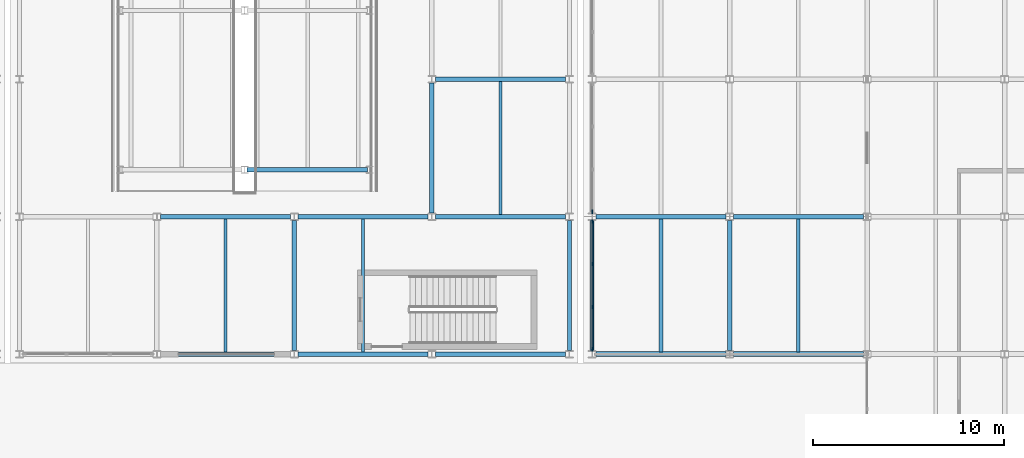
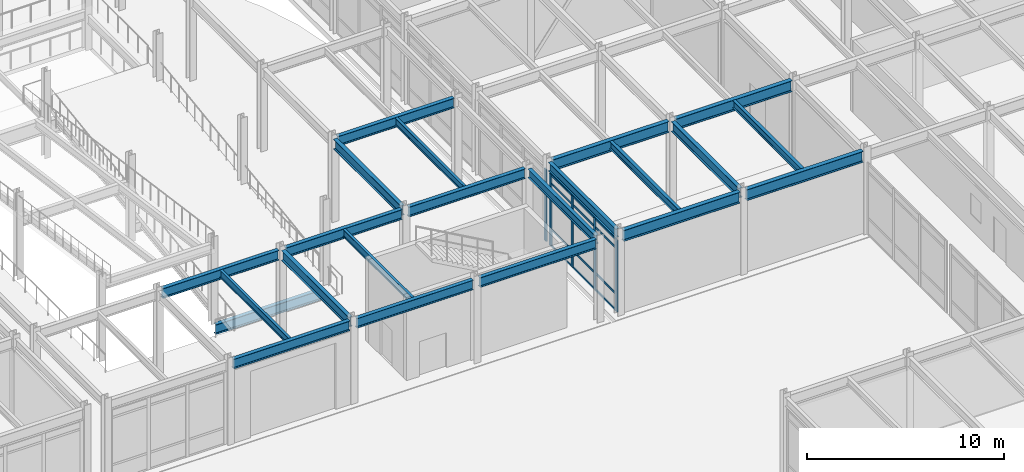
# One storey, part 49 of 104: 22 beams, 17 members, 2 elements without a shape of their own.
"""IFC4 building model written with IfcOpenShell, lengths in metres."""

from ifc_helpers import new_model, si_unit, direction, frame, origin, origin_2d, place, context, subcontext, project, spatial, rectangle, i_section, extrude, material, material_profile, profile_set, type_object, element, aggregate, save


model = new_model("IFC4")

# Units and contexts
model_context = context("Model", 3, precision=1e-05, world=origin(), true_north=direction((0.0, 1.0)))
body_context = subcontext(model_context, "Body", "Model", "MODEL_VIEW")
ifc_project = project(units=[si_unit("LENGTHUNIT", "METRE"), si_unit("AREAUNIT", "SQUARE_METRE"), si_unit("VOLUMEUNIT", "CUBIC_METRE"), si_unit("PLANEANGLEUNIT", "RADIAN"), si_unit("MASSUNIT", "GRAM", prefix="KILO")], contexts=[model_context])

# Site, building, storey
site_placement = place(None, origin())
site = spatial("IfcSite", under=ifc_project, at=site_placement, CompositionType="ELEMENT")
building_placement = place(site_placement, origin())
building = spatial("IfcBuilding", under=site, at=building_placement, Name="Vaelcorin Mobility Hub", CompositionType="ELEMENT")
storey_placement = place(building_placement, origin())
storey = spatial("IfcBuildingStorey", under=building, at=storey_placement, Name="L00", CompositionType="ELEMENT", Elevation=0.0)

# Beams
ifc_material_1 = material(Name="Steel ASTM A992 Grade 50", Category="steel")
ifc_material_profile_1 = material_profile(ifc_material_1, i_section(OverallWidth=0.152099609375, OverallDepth=0.455078125, WebThickness=0.008056640625, FlangeThickness=0.01318359375, FilletRadius=0.012939453125, at=origin_2d()), Name="W18X40")
ifc_profile_set_1 = profile_set([ifc_material_profile_1], Name="Steel ASTM A992 Grade 50")
beam_type_1 = type_object("IfcBeamType", Name="BM-W18X40", PredefinedType="JOIST", material=ifc_profile_set_1)
for number, where, z_axis, x_axis, name in (
    (1, (134.39990234375, 76.912109375, 4.922119140625), (0.0, 1.0, 0.0), (-1.0, 0.0, 0.0), "L00 Beam V2E-L00-J-02-01-1"),
    (2, (141.60009765625, 76.912109375, 4.922119140625), (0.0, 1.0, 0.0), (-1.0, 0.0, 0.0), "L00 Beam V2E-L00-J-03-01-1"),
    (3, (148.800048828125, 84.112060546875, 4.922119140625), (0.0, 1.0, 0.0), (-1.0, 0.0, 0.0), "L00 Beam V2E-L00-J-04-02-1"),
):
    element("IfcBeam", number, at=place(storey_placement, frame(where, z_axis=z_axis, x_axis=x_axis)), inside=storey, type_object=beam_type_1, Name=name, PredefinedType="JOIST", context=body_context, shape_type="SweptSolid", body=[
        extrude(i_section(OverallWidth=0.152099609375, OverallDepth=0.455078125, WebThickness=0.008056640625, FlangeThickness=0.01318359375, FilletRadius=0.012939453125, at=origin_2d()), origin(), (0.0, 0.0, 1.0), 6.975830078125),
    ])
ifc_material_profile_2 = material_profile(ifc_material_1, i_section(OverallWidth=0.19091796875, OverallDepth=0.4599609375, WebThickness=0.010009765625, FlangeThickness=0.01611328125, FilletRadius=0.012939453125, at=origin_2d()), Name="W18X55")
ifc_profile_set_2 = profile_set([ifc_material_profile_2], Name="Steel ASTM A992 Grade 50")
beam_type_2 = type_object("IfcBeamType", Name="BM-W18X55", PredefinedType="JOIST", material=ifc_profile_set_2)
for number, where, z_axis, x_axis, name in (
    (4, (157.199951171875, 76.925048828125, 4.909912109375), (0.0, 1.0, 0.0), (-1.0, 0.0, 0.0), "L00 Beam V5-L00-J-01-09-1"),
    (5, (164.39990234375, 76.925048828125, 4.909912109375), (0.0, 1.0, 0.0), (-1.0, 0.0, 0.0), "L00 Beam V5-L00-J-02-09-1"),
):
    element("IfcBeam", number, at=place(storey_placement, frame(where, z_axis=z_axis, x_axis=x_axis)), inside=storey, type_object=beam_type_2, Name=name, PredefinedType="JOIST", context=body_context, shape_type="SweptSolid", body=[
        extrude(i_section(OverallWidth=0.19091796875, OverallDepth=0.4599609375, WebThickness=0.010009765625, FlangeThickness=0.01611328125, FilletRadius=0.012939453125, at=origin_2d()), origin(), (0.0, 0.0, 1.0), 6.949951171875),
    ])
ifc_material_profile_3 = material_profile(ifc_material_1, i_section(OverallWidth=0.2099609375, OverallDepth=0.535888671875, WebThickness=0.010986328125, FlangeThickness=0.017333984375, FilletRadius=0.013916015625, at=origin_2d()), Name="W21X68")
ifc_profile_set_3 = profile_set([ifc_material_profile_3], Name="Steel ASTM A992 Grade 50")
beam_type_3 = type_object("IfcBeamType", Name="BM-W21X68", PredefinedType="SPANDREL", material=ifc_profile_set_3)
for number, where, z_axis, x_axis, name in (
    (6, (152.39990234375, 76.988037109375, 4.882080078125), (0.0, 1.0, 0.0), (-1.0, 0.0, 0.0), "L00 Beam V2E-L00-GY-05-01"),
    (7, (153.60009765625, 76.988037109375, 4.8720703125), (0.0, 1.0, 0.0), (-1.0, 0.0, 0.0), "L00 Beam V5-L00-GY-01-09"),
):
    element("IfcBeam", number, at=place(storey_placement, frame(where, z_axis=z_axis, x_axis=x_axis)), inside=storey, type_object=beam_type_3, Name=name, PredefinedType="SPANDREL", context=body_context, shape_type="SweptSolid", body=[
        extrude(i_section(OverallWidth=0.2099609375, OverallDepth=0.535888671875, WebThickness=0.010986328125, FlangeThickness=0.017333984375, FilletRadius=0.013916015625, at=origin_2d()), origin(), (0.0, 0.0, 1.0), 6.823974609375),
    ])
ifc_material_profile_4 = material_profile(ifc_material_1, i_section(OverallWidth=0.22802734375, OverallDepth=0.60205078125, WebThickness=0.010498046875, FlangeThickness=0.014892578125, FilletRadius=0.014892578125, at=origin_2d()), Name="W24X68")
ifc_profile_set_4 = profile_set([ifc_material_profile_4], Name="Steel ASTM A992 Grade 50")
beam_type_4 = type_object("IfcBeamType", Name="BM-W24X68", PredefinedType="SPANDREL", material=ifc_profile_set_4)
for number, where, z_axis, x_axis, name in (
    (8, (130.99609375, 76.800048828125, 4.84912109375), (1.0, 0.0, 0.0), (0.0, 1.0, 0.0), "L00 Beam V2E-L00-GX-01-02"),
    (9, (138.196044921875, 76.800048828125, 4.84912109375), (1.0, 0.0, 0.0), (0.0, 1.0, 0.0), "L00 Beam V2E-L00-GX-01-03"),
):
    element("IfcBeam", number, at=place(storey_placement, frame(where, z_axis=z_axis, x_axis=x_axis)), inside=storey, type_object=beam_type_4, Name=name, PredefinedType="SPANDREL", context=body_context, shape_type="SweptSolid", body=[
        extrude(i_section(OverallWidth=0.22802734375, OverallDepth=0.60205078125, WebThickness=0.010498046875, FlangeThickness=0.014892578125, FilletRadius=0.014892578125, at=origin_2d()), origin(), (0.0, 0.0, 1.0), 6.807861328125),
    ])
beam_1_placement = place(storey_placement, frame((145.39599609375, 76.800048828125, 4.84912109375), z_axis=(1.0, 0.0, 0.0), x_axis=(0.0, 1.0, 0.0)))
element("IfcBeam", 10, at=beam_1_placement, inside=storey, type_object=beam_type_4, Name="L00 Beam V2E-L00-GX-01-04", PredefinedType="SPANDREL", context=body_context, shape_type="SweptSolid", body=[
    extrude(i_section(OverallWidth=0.22802734375, OverallDepth=0.60205078125, WebThickness=0.010498046875, FlangeThickness=0.014892578125, FilletRadius=0.014892578125, at=origin_2d()), origin(), (0.0, 0.0, 1.0), 6.80810546875),
])
ifc_material_profile_5 = material_profile(ifc_material_1, i_section(OverallWidth=0.22900390625, OverallDepth=0.612060546875, WebThickness=0.011962890625, FlangeThickness=0.01953125, FilletRadius=0.014892578125, at=origin_2d()), Name="W24X84")
ifc_profile_set_5 = profile_set([ifc_material_profile_5], Name="Steel ASTM A992 Grade 50")
beam_type_5 = type_object("IfcBeamType", Name="BM-W24X84", PredefinedType="BEAM", material=ifc_profile_set_5)
for number, where, z_axis, x_axis, name in (
    (11, (130.99609375, 84.0, 4.843994140625), (1.0, 0.0, 0.0), (0.0, 1.0, 0.0), "L00 Beam V2E-L00-GX-02-02"),
    (12, (138.196044921875, 84.0, 4.843994140625), (1.0, 0.0, 0.0), (0.0, 1.0, 0.0), "L00 Beam V2E-L00-GX-02-03"),
):
    element("IfcBeam", number, at=place(storey_placement, frame(where, z_axis=z_axis, x_axis=x_axis)), inside=storey, type_object=beam_type_5, Name=name, PredefinedType="BEAM", context=body_context, shape_type="SweptSolid", body=[
        extrude(i_section(OverallWidth=0.22900390625, OverallDepth=0.612060546875, WebThickness=0.011962890625, FlangeThickness=0.01953125, FilletRadius=0.014892578125, at=origin_2d()), origin(), (0.0, 0.0, 1.0), 6.807861328125),
    ])
for number, where, z_axis, x_axis, name in (
    (13, (145.39599609375, 84.0, 4.843994140625), (1.0, 0.0, 0.0), (0.0, 1.0, 0.0), "L00 Beam V2E-L00-GX-02-04"),
    (14, (145.39599609375, 91.199951171875, 4.843994140625), (1.0, 0.0, 0.0), (0.0, 1.0, 0.0), "L00 Beam V2E-L00-GX-03-04"),
):
    element("IfcBeam", number, at=place(storey_placement, frame(where, z_axis=z_axis, x_axis=x_axis)), inside=storey, type_object=beam_type_5, Name=name, PredefinedType="BEAM", context=body_context, shape_type="SweptSolid", body=[
        extrude(i_section(OverallWidth=0.22900390625, OverallDepth=0.612060546875, WebThickness=0.011962890625, FlangeThickness=0.01953125, FilletRadius=0.014892578125, at=origin_2d()), origin(), (0.0, 0.0, 1.0), 6.80810546875),
    ])
for number, where, z_axis, x_axis, name in (
    (15, (138.0, 76.988037109375, 4.843994140625), (0.0, 1.0, 0.0), (-1.0, 0.0, 0.0), "L00 Beam V2E-L00-GY-03-01"),
    (16, (145.199951171875, 84.18798828125, 4.843994140625), (0.0, 1.0, 0.0), (-1.0, 0.0, 0.0), "L00 Beam V2E-L00-GY-04-02"),
    (17, (160.800048828125, 76.988037109375, 4.833984375), (0.0, 1.0, 0.0), (-1.0, 0.0, 0.0), "L00 Beam V5-L00-GY-02-09"),
):
    element("IfcBeam", number, at=place(storey_placement, frame(where, z_axis=z_axis, x_axis=x_axis)), inside=storey, type_object=beam_type_5, Name=name, PredefinedType="BEAM", context=body_context, shape_type="SweptSolid", body=[
        extrude(i_section(OverallWidth=0.22900390625, OverallDepth=0.612060546875, WebThickness=0.011962890625, FlangeThickness=0.01953125, FilletRadius=0.014892578125, at=origin_2d()), origin(), (0.0, 0.0, 1.0), 6.823974609375),
    ])
beam_2_placement = place(storey_placement, frame((135.530029296875, 86.449951171875, -0.45703125), z_axis=(1.0, 0.0, 0.0), x_axis=(0.0, 1.0, 0.0)))
element("IfcBeam", 18, at=beam_2_placement, inside=storey, type_object=beam_type_5, Name="Vehicle Ramp VR-2 L00 Bent Girder F1S", PredefinedType="BEAM", context=body_context, shape_type="SweptSolid", body=[
    extrude(i_section(OverallWidth=0.22900390625, OverallDepth=0.612060546875, WebThickness=0.011962890625, FlangeThickness=0.01953125, FilletRadius=0.014892578125, at=origin_2d()), origin(), (0.0, 0.0, 1.0), 6.2900390625),
])
ifc_material_profile_6 = material_profile(ifc_material_1, i_section(OverallWidth=0.25390625, OverallDepth=0.68310546875, WebThickness=0.012451171875, FlangeThickness=0.018798828125, FilletRadius=0.01611328125, at=origin_2d()), Name="W27X94")
ifc_profile_set_6 = profile_set([ifc_material_profile_6], Name="Steel ASTM A992 Grade 50")
beam_type_6 = type_object("IfcBeamType", Name="BM-W27X94", PredefinedType="BEAM", material=ifc_profile_set_6)
beam_3_placement = place(storey_placement, frame((153.7958984375, 76.800048828125, 4.798095703125), z_axis=(1.0, 0.0, 0.0), x_axis=(0.0, 1.0, 0.0)))
element("IfcBeam", 19, at=beam_3_placement, inside=storey, type_object=beam_type_6, Name="L00 Beam V5-L00-GX-09-01", PredefinedType="BEAM", context=body_context, shape_type="SweptSolid", body=[
    extrude(i_section(OverallWidth=0.25390625, OverallDepth=0.68310546875, WebThickness=0.012451171875, FlangeThickness=0.018798828125, FilletRadius=0.01611328125, at=origin_2d()), origin(), (0.0, 0.0, 1.0), 6.80810546875),
])
beam_4_placement = place(storey_placement, frame((160.99609375, 76.800048828125, 4.798095703125), z_axis=(1.0, 0.0, 0.0), x_axis=(0.0, 1.0, 0.0)))
element("IfcBeam", 20, at=beam_4_placement, inside=storey, type_object=beam_type_6, Name="L00 Beam V5-L00-GX-09-02", PredefinedType="BEAM", context=body_context, shape_type="SweptSolid", body=[
    extrude(i_section(OverallWidth=0.25390625, OverallDepth=0.68310546875, WebThickness=0.012451171875, FlangeThickness=0.018798828125, FilletRadius=0.01611328125, at=origin_2d()), origin(), (0.0, 0.0, 1.0), 6.807861328125),
])
beam_5_placement = place(storey_placement, frame((153.7958984375, 84.0, 4.798095703125), z_axis=(1.0, 0.0, 0.0), x_axis=(0.0, 1.0, 0.0)))
element("IfcBeam", 21, at=beam_5_placement, inside=storey, type_object=beam_type_6, Name="L00 Beam V5-L00-GX-10-01", PredefinedType="BEAM", context=body_context, shape_type="SweptSolid", body=[
    extrude(i_section(OverallWidth=0.25390625, OverallDepth=0.68310546875, WebThickness=0.012451171875, FlangeThickness=0.018798828125, FilletRadius=0.01611328125, at=origin_2d()), origin(), (0.0, 0.0, 1.0), 6.80810546875),
])
beam_6_placement = place(storey_placement, frame((160.99609375, 84.0, 4.798095703125), z_axis=(1.0, 0.0, 0.0), x_axis=(0.0, 1.0, 0.0)))
element("IfcBeam", 22, at=beam_6_placement, inside=storey, type_object=beam_type_6, Name="L00 Beam V5-L00-GX-10-02", PredefinedType="BEAM", context=body_context, shape_type="SweptSolid", body=[
    extrude(i_section(OverallWidth=0.25390625, OverallDepth=0.68310546875, WebThickness=0.012451171875, FlangeThickness=0.018798828125, FilletRadius=0.01611328125, at=origin_2d()), origin(), (0.0, 0.0, 1.0), 6.807861328125),
])

# Curtain wall, members
ifc_material_2 = material(Name="Anodised aluminium 6063-T6", Category="aluminium")
curtain_wall_type = type_object("IfcCurtainWallType", Name="CW-MOB-A", PredefinedType="NOTDEFINED", material=ifc_material_2)
curtain_wall_1_placement = place(storey_placement, origin())
curtain_wall_1 = element("IfcCurtainWall", 23, at=curtain_wall_1_placement, inside=storey, type_object=curtain_wall_type, Name="L00 Curtain Wall CW-V5-L00-WN-01", PredefinedType="NOTDEFINED")
ifc_material_profile_7 = material_profile(ifc_material_2, rectangle(XDim=0.070068359375, YDim=0.199951171875, at=origin_2d()), Name="ALU-M70X200")
ifc_profile_set_7 = profile_set([ifc_material_profile_7], Name="Anodised aluminium 6063-T6")
member_type_1 = type_object("IfcMemberType", Name="CW-MULL-200", PredefinedType="MULLION", material=ifc_profile_set_7)
member_1_placement = place(storey_placement, frame((153.60009765625, 77.050048828125, 0.0), z_axis=(0.0, 0.0, 1.0), x_axis=(-1.0, 0.0, 0.0)))
member_1 = element("IfcMember", 24, at=member_1_placement, type_object=member_type_1, Name="CW7 mullion 1", PredefinedType="MULLION", context=body_context, shape_type="SweptSolid", body=[
    extrude(rectangle(XDim=0.070068359375, YDim=0.199951171875, at=origin_2d()), origin(), (0.0, 0.0, 1.0), 4.44189453125),
])
member_2_placement = place(storey_placement, frame((153.60009765625, 79.2734375, 0.0), z_axis=(0.0, 0.0, 1.0), x_axis=(-1.0, 0.0, 0.0)))
member_2 = element("IfcMember", 25, at=member_2_placement, type_object=member_type_1, Name="CW7 mullion 2", PredefinedType="MULLION", context=body_context, shape_type="SweptSolid", body=[
    extrude(rectangle(XDim=0.070068359375, YDim=0.199951171875, at=origin_2d()), origin(), (0.0, 0.0, 1.0), 4.44189453125),
])
member_3_placement = place(storey_placement, frame((153.60009765625, 81.526611328125, 0.0), z_axis=(0.0, 0.0, 1.0), x_axis=(-1.0, 0.0, 0.0)))
member_3 = element("IfcMember", 26, at=member_3_placement, type_object=member_type_1, Name="CW7 mullion 3", PredefinedType="MULLION", context=body_context, shape_type="SweptSolid", body=[
    extrude(rectangle(XDim=0.070068359375, YDim=0.199951171875, at=origin_2d()), origin(), (0.0, 0.0, 1.0), 4.44189453125),
])
member_4_placement = place(storey_placement, frame((153.60009765625, 83.75, 0.0), z_axis=(0.0, 0.0, 1.0), x_axis=(-1.0, 0.0, 0.0)))
member_4 = element("IfcMember", 27, at=member_4_placement, type_object=member_type_1, Name="CW7 mullion 4", PredefinedType="MULLION", context=body_context, shape_type="SweptSolid", body=[
    extrude(rectangle(XDim=0.070068359375, YDim=0.199951171875, at=origin_2d()), origin(), (0.0, 0.0, 1.0), 4.44189453125),
])

# Curtain wall, member
curtain_wall_2_placement = place(storey_placement, origin())
curtain_wall_2 = element("IfcCurtainWall", 28, at=curtain_wall_2_placement, inside=storey, type_object=curtain_wall_type, Name="L00 Curtain Wall CW-V5-L00-WN-02", PredefinedType="NOTDEFINED")
member_5_placement = place(storey_placement, frame((153.60009765625, 84.25, 0.0), z_axis=(0.0, 0.0, 1.0), x_axis=(-1.0, 0.0, 0.0)))
member_5 = element("IfcMember", 29, at=member_5_placement, type_object=member_type_1, Name="CW7 mullion 1", PredefinedType="MULLION", context=body_context, shape_type="SweptSolid", body=[
    extrude(rectangle(XDim=0.070068359375, YDim=0.199951171875, at=origin_2d()), origin(), (0.0, 0.0, 1.0), 4.44189453125),
])
aggregate(curtain_wall_2, [member_5])

# Member
ifc_material_profile_8 = material_profile(ifc_material_2, rectangle(XDim=0.06005859375, YDim=0.1201171875, at=origin_2d()), Name="ALU-T60X120")
ifc_profile_set_8 = profile_set([ifc_material_profile_8], Name="Anodised aluminium 6063-T6")
member_type_2 = type_object("IfcMemberType", Name="CW-TRAN-140", PredefinedType="USERDEFINED", material=ifc_profile_set_8)
member_6_placement = place(storey_placement, frame((153.60009765625, 77.080078125, 0.030029296875), z_axis=(0.0, 1.0, 0.0), x_axis=(-1.0, 0.0, 0.0)))
member_6 = element("IfcMember", 30, at=member_6_placement, type_object=member_type_2, Name="CW7 transom 1.1", ObjectType="TRANSOM", PredefinedType="USERDEFINED", context=body_context, shape_type="SweptSolid", body=[
    extrude(rectangle(XDim=0.06005859375, YDim=0.1201171875, at=origin_2d()), origin(), (0.0, 0.0, 1.0), 2.163330078125),
])

member_7_placement = place(storey_placement, frame((153.60009765625, 77.080078125, 1.050048828125), z_axis=(0.0, 1.0, 0.0), x_axis=(-1.0, 0.0, 0.0)))
member_7 = element("IfcMember", 31, at=member_7_placement, type_object=member_type_2, Name="CW7 transom 1.2", ObjectType="TRANSOM", PredefinedType="USERDEFINED", context=body_context, shape_type="SweptSolid", body=[
    extrude(rectangle(XDim=0.06005859375, YDim=0.1201171875, at=origin_2d()), origin(), (0.0, 0.0, 1.0), 2.163330078125),
])

member_8_placement = place(storey_placement, frame((153.60009765625, 77.080078125, 3.89208984375), z_axis=(0.0, 1.0, 0.0), x_axis=(-1.0, 0.0, 0.0)))
member_8 = element("IfcMember", 32, at=member_8_placement, type_object=member_type_2, Name="CW7 transom 1.3", ObjectType="TRANSOM", PredefinedType="USERDEFINED", context=body_context, shape_type="SweptSolid", body=[
    extrude(rectangle(XDim=0.06005859375, YDim=0.1201171875, at=origin_2d()), origin(), (0.0, 0.0, 1.0), 2.163330078125),
])

member_9_placement = place(storey_placement, frame((153.60009765625, 77.080078125, 4.412109375), z_axis=(0.0, 1.0, 0.0), x_axis=(-1.0, 0.0, 0.0)))
member_9 = element("IfcMember", 33, at=member_9_placement, type_object=member_type_2, Name="CW7 transom 1.4", ObjectType="TRANSOM", PredefinedType="USERDEFINED", context=body_context, shape_type="SweptSolid", body=[
    extrude(rectangle(XDim=0.06005859375, YDim=0.1201171875, at=origin_2d()), origin(), (0.0, 0.0, 1.0), 2.163330078125),
])

member_10_placement = place(storey_placement, frame((153.60009765625, 79.30322265625, 0.030029296875), z_axis=(0.0, 1.0, 0.0), x_axis=(-1.0, 0.0, 0.0)))
member_10 = element("IfcMember", 34, at=member_10_placement, type_object=member_type_2, Name="CW7 transom 2.1", ObjectType="TRANSOM", PredefinedType="USERDEFINED", context=body_context, shape_type="SweptSolid", body=[
    extrude(rectangle(XDim=0.06005859375, YDim=0.1201171875, at=origin_2d()), origin(), (0.0, 0.0, 1.0), 2.193359375),
])

member_11_placement = place(storey_placement, frame((153.60009765625, 79.30322265625, 1.050048828125), z_axis=(0.0, 1.0, 0.0), x_axis=(-1.0, 0.0, 0.0)))
member_11 = element("IfcMember", 35, at=member_11_placement, type_object=member_type_2, Name="CW7 transom 2.2", ObjectType="TRANSOM", PredefinedType="USERDEFINED", context=body_context, shape_type="SweptSolid", body=[
    extrude(rectangle(XDim=0.06005859375, YDim=0.1201171875, at=origin_2d()), origin(), (0.0, 0.0, 1.0), 2.193359375),
])

member_12_placement = place(storey_placement, frame((153.60009765625, 79.30322265625, 3.89208984375), z_axis=(0.0, 1.0, 0.0), x_axis=(-1.0, 0.0, 0.0)))
member_12 = element("IfcMember", 36, at=member_12_placement, type_object=member_type_2, Name="CW7 transom 2.3", ObjectType="TRANSOM", PredefinedType="USERDEFINED", context=body_context, shape_type="SweptSolid", body=[
    extrude(rectangle(XDim=0.06005859375, YDim=0.1201171875, at=origin_2d()), origin(), (0.0, 0.0, 1.0), 2.193359375),
])

member_13_placement = place(storey_placement, frame((153.60009765625, 79.30322265625, 4.412109375), z_axis=(0.0, 1.0, 0.0), x_axis=(-1.0, 0.0, 0.0)))
member_13 = element("IfcMember", 37, at=member_13_placement, type_object=member_type_2, Name="CW7 transom 2.4", ObjectType="TRANSOM", PredefinedType="USERDEFINED", context=body_context, shape_type="SweptSolid", body=[
    extrude(rectangle(XDim=0.06005859375, YDim=0.1201171875, at=origin_2d()), origin(), (0.0, 0.0, 1.0), 2.193359375),
])

member_14_placement = place(storey_placement, frame((153.60009765625, 81.556640625, 0.030029296875), z_axis=(0.0, 1.0, 0.0), x_axis=(-1.0, 0.0, 0.0)))
member_14 = element("IfcMember", 38, at=member_14_placement, type_object=member_type_2, Name="CW7 transom 3.1", ObjectType="TRANSOM", PredefinedType="USERDEFINED", context=body_context, shape_type="SweptSolid", body=[
    extrude(rectangle(XDim=0.06005859375, YDim=0.1201171875, at=origin_2d()), origin(), (0.0, 0.0, 1.0), 2.163330078125),
])

member_15_placement = place(storey_placement, frame((153.60009765625, 81.556640625, 1.050048828125), z_axis=(0.0, 1.0, 0.0), x_axis=(-1.0, 0.0, 0.0)))
member_15 = element("IfcMember", 39, at=member_15_placement, type_object=member_type_2, Name="CW7 transom 3.2", ObjectType="TRANSOM", PredefinedType="USERDEFINED", context=body_context, shape_type="SweptSolid", body=[
    extrude(rectangle(XDim=0.06005859375, YDim=0.1201171875, at=origin_2d()), origin(), (0.0, 0.0, 1.0), 2.163330078125),
])

member_16_placement = place(storey_placement, frame((153.60009765625, 81.556640625, 3.89208984375), z_axis=(0.0, 1.0, 0.0), x_axis=(-1.0, 0.0, 0.0)))
member_16 = element("IfcMember", 40, at=member_16_placement, type_object=member_type_2, Name="CW7 transom 3.3", ObjectType="TRANSOM", PredefinedType="USERDEFINED", context=body_context, shape_type="SweptSolid", body=[
    extrude(rectangle(XDim=0.06005859375, YDim=0.1201171875, at=origin_2d()), origin(), (0.0, 0.0, 1.0), 2.163330078125),
])

member_17_placement = place(storey_placement, frame((153.60009765625, 81.556640625, 4.412109375), z_axis=(0.0, 1.0, 0.0), x_axis=(-1.0, 0.0, 0.0)))
member_17 = element("IfcMember", 41, at=member_17_placement, type_object=member_type_2, Name="CW7 transom 3.4", ObjectType="TRANSOM", PredefinedType="USERDEFINED", context=body_context, shape_type="SweptSolid", body=[
    extrude(rectangle(XDim=0.06005859375, YDim=0.1201171875, at=origin_2d()), origin(), (0.0, 0.0, 1.0), 2.163330078125),
])

aggregate(curtain_wall_1, [member_1, member_2, member_3, member_4, member_6, member_7, member_8, member_9, member_10, member_11, member_12, member_13, member_14, member_15, member_16, member_17])

save(model, "model.ifc")
